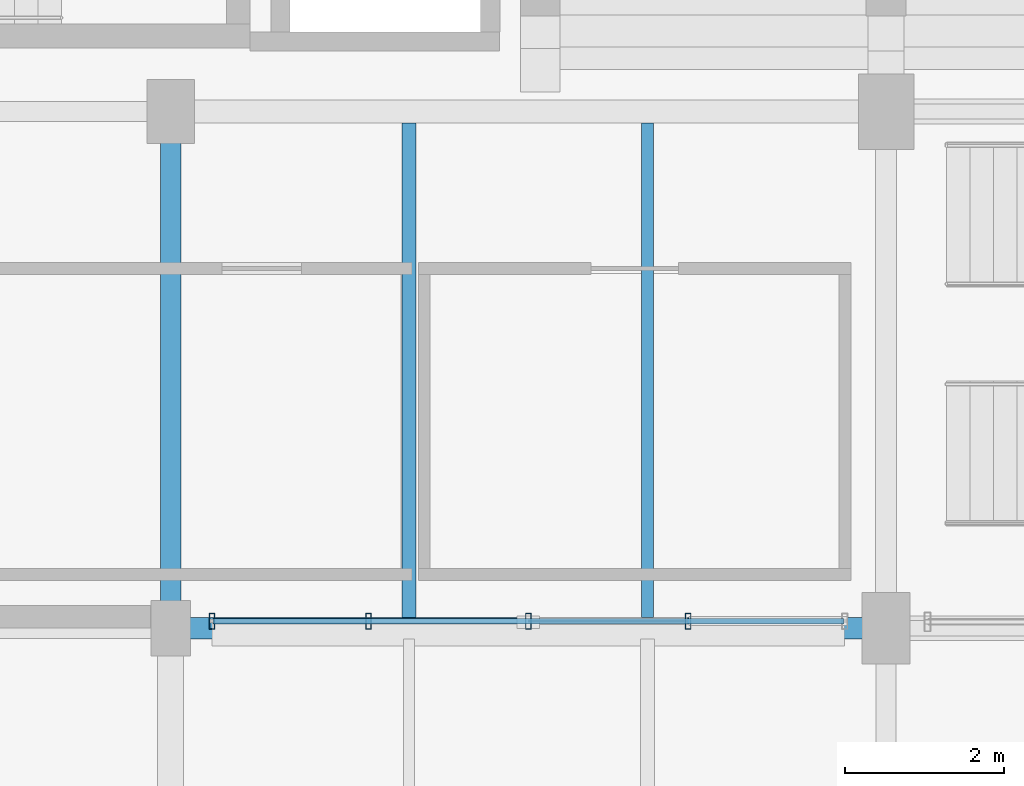
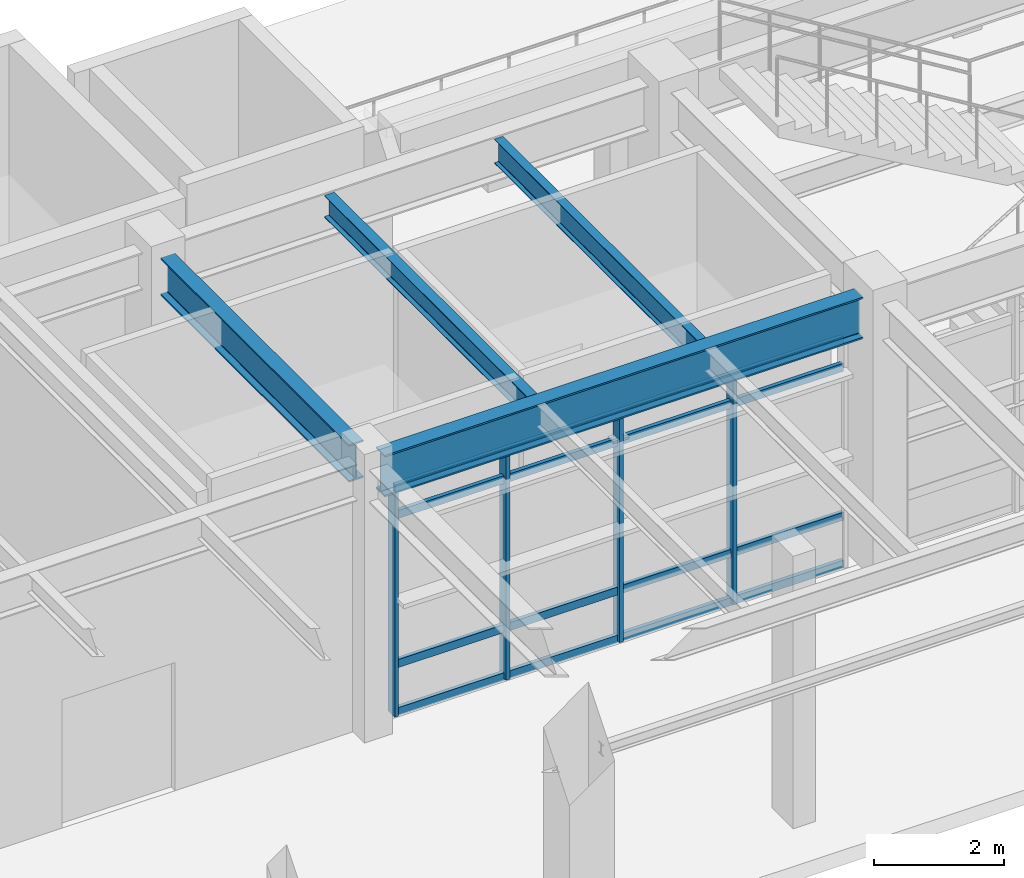
# One storey, part 49 of 203: 8 members, 4 beams, 1 element without a shape of its own.
"""IFC4 building model written with IfcOpenShell, lengths in metres."""

from ifc_helpers import new_model, si_unit, direction, frame, origin, origin_2d, place, context, subcontext, project, spatial, hollow_rectangle, i_section, extrude, material, material_profile, profile_set, type_object, element, aggregate, save


model = new_model("IFC4")

# Units and contexts
model_context = context("Model", 3, precision=1e-05, world=origin(), true_north=direction((0.0, 1.0)))
body_context = subcontext(model_context, "Body", "Model", "MODEL_VIEW")
ifc_project = project(units=[si_unit("LENGTHUNIT", "METRE"), si_unit("AREAUNIT", "SQUARE_METRE"), si_unit("VOLUMEUNIT", "CUBIC_METRE"), si_unit("PLANEANGLEUNIT", "RADIAN"), si_unit("MASSUNIT", "GRAM", prefix="KILO"), si_unit("THERMODYNAMICTEMPERATUREUNIT", "KELVIN"), si_unit("POWERUNIT", "WATT")], contexts=[model_context])

# Site, building, storey
site_placement = place(None, origin())
site = spatial("IfcSite", under=ifc_project, at=site_placement, CompositionType="ELEMENT")
building_placement = place(site_placement, origin())
building = spatial("IfcBuilding", under=site, at=building_placement, Name="Tepalcoro Natatorium and Aquatics Centre", CompositionType="ELEMENT")
storey_placement = place(building_placement, origin())
storey = spatial("IfcBuildingStorey", under=building, at=storey_placement, Name="L00", CompositionType="ELEMENT", Elevation=0.0)

# Beams
ifc_material_1 = material(Name="Steel ASTM A992 Grade 50 (Fy 345 MPa)", Category="steel")
ifc_material_profile_1 = material_profile(ifc_material_1, i_section(OverallWidth=0.25390625, OverallDepth=0.700927734375, WebThickness=0.014892578125, FlangeThickness=0.028076171875, FilletRadius=0.013916015625, at=origin_2d()), Name="W27X129")
ifc_profile_set_1 = profile_set([ifc_material_profile_1], Name="Steel ASTM A992 Grade 50 (Fy 345 MPa)")
beam_type_1 = type_object("IfcBeamType", Name="BM_W27x129", PredefinedType="BEAM", material=ifc_profile_set_1)
beam_1_placement = place(storey_placement, frame((62.0, 6.8349609375, 4.7744140625), z_axis=(0.0, 1.0, 0.0), x_axis=(-1.0, 0.0, 0.0)))
element("IfcBeam", 1, at=beam_1_placement, inside=storey, type_object=beam_type_1, Name="V1 L00 Grid Girder Y", PredefinedType="BEAM", context=body_context, shape_type="SweptSolid", body=[
    extrude(i_section(OverallWidth=0.25390625, OverallDepth=0.700927734375, WebThickness=0.014892578125, FlangeThickness=0.028076171875, FilletRadius=0.013916015625, at=origin_2d()), origin(), (0.0, 0.0, 1.0), 5.780029296875),
])
ifc_material_profile_2 = material_profile(ifc_material_1, i_section(OverallWidth=0.26708984375, OverallDepth=0.780029296875, WebThickness=0.01708984375, FlangeThickness=0.030029296875, FilletRadius=0.013916015625, at=origin_2d()), Name="W30X148")
ifc_profile_set_2 = profile_set([ifc_material_profile_2], Name="Steel ASTM A992 Grade 50 (Fy 345 MPa)")
beam_type_2 = type_object("IfcBeamType", Name="BM_W30x148", PredefinedType="BEAM", material=ifc_profile_set_2)
beam_2_placement = place(storey_placement, frame((62.235107421875, 6.5, 4.695068359375), z_axis=(1.0, 0.0, 0.0), x_axis=(0.0, 1.0, 0.0)))
element("IfcBeam", 2, at=beam_2_placement, inside=storey, type_object=beam_type_2, Name="V1 L00 Grid Girder X", PredefinedType="BEAM", context=body_context, shape_type="SweptSolid", body=[
    extrude(i_section(OverallWidth=0.26708984375, OverallDepth=0.780029296875, WebThickness=0.01708984375, FlangeThickness=0.030029296875, FilletRadius=0.013916015625, at=origin_2d()), origin(), (0.0, 0.0, 1.0), 8.47998046875),
])

# Curtain wall, members
ifc_material_2 = material(Name="Bronze-Anodised Extruded Aluminium Alloy EN AW-6063 T6", Category="aluminium")
curtain_wall_type = type_object("IfcCurtainWallType", Name="CW_V4_VILLAGE", PredefinedType="USERDEFINED", material=ifc_material_2)
curtain_wall_placement = place(storey_placement, origin())
curtain_wall = element("IfcCurtainWall", 3, at=curtain_wall_placement, inside=storey, type_object=curtain_wall_type, Name="V1 L00 S Unitised Curtain Wall Bay 3", ObjectType="UNITISED STOREFRONT", PredefinedType="USERDEFINED")
ifc_material_profile_3 = material_profile(ifc_material_2, hollow_rectangle(XDim=0.070068359375, YDim=0.199951171875, WallThickness=0.0048828125, at=origin_2d()), Name="AL70X200X5")
ifc_profile_set_3 = profile_set([ifc_material_profile_3], Name="Bronze-Anodised Extruded Aluminium Alloy EN AW-6063 T6")
member_type_1 = type_object("IfcMemberType", Name="CW_MUL_70x200", PredefinedType="MULLION", material=ifc_profile_set_3)
member_1_placement = place(storey_placement, frame((62.52001953125, 6.590087890625, 0.02001953125), z_axis=(0.0, 0.0, 1.0), x_axis=(1.0, 0.0, 0.0)))
member_1 = element("IfcMember", 4, at=member_1_placement, type_object=member_type_1, Name="CW_V4_VILLAGE Curtain Wall Mullion", PredefinedType="MULLION", context=body_context, shape_type="SweptSolid", body=[
    extrude(hollow_rectangle(XDim=0.070068359375, YDim=0.199951171875, WallThickness=0.0048828125, at=origin_2d()), origin(), (0.0, 0.0, 1.0), 4.25),
])
member_2_placement = place(storey_placement, frame((64.489990234375, 6.590087890625, 0.02001953125), z_axis=(0.0, 0.0, 1.0), x_axis=(1.0, 0.0, 0.0)))
member_2 = element("IfcMember", 5, at=member_2_placement, type_object=member_type_1, Name="CW_V4_VILLAGE Curtain Wall Mullion", PredefinedType="MULLION", context=body_context, shape_type="SweptSolid", body=[
    extrude(hollow_rectangle(XDim=0.070068359375, YDim=0.199951171875, WallThickness=0.0048828125, at=origin_2d()), origin(), (0.0, 0.0, 1.0), 4.25),
])
member_3_placement = place(storey_placement, frame((66.5, 6.590087890625, 0.02001953125), z_axis=(0.0, 0.0, 1.0), x_axis=(1.0, 0.0, 0.0)))
member_3 = element("IfcMember", 6, at=member_3_placement, type_object=member_type_1, Name="CW_V4_VILLAGE Curtain Wall Mullion", PredefinedType="MULLION", context=body_context, shape_type="SweptSolid", body=[
    extrude(hollow_rectangle(XDim=0.070068359375, YDim=0.199951171875, WallThickness=0.0048828125, at=origin_2d()), origin(), (0.0, 0.0, 1.0), 4.25),
])
member_4_placement = place(storey_placement, frame((68.510009765625, 6.590087890625, 0.02001953125), z_axis=(0.0, 0.0, 1.0), x_axis=(1.0, 0.0, 0.0)))
member_4 = element("IfcMember", 7, at=member_4_placement, type_object=member_type_1, Name="CW_V4_VILLAGE Curtain Wall Mullion", PredefinedType="MULLION", context=body_context, shape_type="SweptSolid", body=[
    extrude(hollow_rectangle(XDim=0.070068359375, YDim=0.199951171875, WallThickness=0.0048828125, at=origin_2d()), origin(), (0.0, 0.0, 1.0), 4.25),
])
ifc_material_profile_4 = material_profile(ifc_material_2, hollow_rectangle(XDim=0.070068359375, YDim=0.14990234375, WallThickness=0.00390625, at=origin_2d()), Name="AL70X150X4")
ifc_profile_set_4 = profile_set([ifc_material_profile_4], Name="Bronze-Anodised Extruded Aluminium Alloy EN AW-6063 T6")
member_type_2 = type_object("IfcMemberType", Name="CW_TRN_70x150", PredefinedType="USERDEFINED", material=ifc_profile_set_4)
member_5_placement = place(storey_placement, frame((62.530029296875, 6.590087890625, 0.050048828125), z_axis=(1.0, 0.0, 0.0), x_axis=(0.0, 1.0, 0.0)))
member_5 = element("IfcMember", 8, at=member_5_placement, type_object=member_type_2, Name="CW_V4_VILLAGE Curtain Wall Transom", ObjectType="TRANSOM", PredefinedType="USERDEFINED", context=body_context, shape_type="SweptSolid", body=[
    extrude(hollow_rectangle(XDim=0.070068359375, YDim=0.14990234375, WallThickness=0.00390625, at=origin_2d()), origin(), (0.0, 0.0, 1.0), 7.93994140625),
])
member_6_placement = place(storey_placement, frame((62.530029296875, 6.590087890625, 0.949951171875), z_axis=(1.0, 0.0, 0.0), x_axis=(0.0, 1.0, 0.0)))
member_6 = element("IfcMember", 9, at=member_6_placement, type_object=member_type_2, Name="CW_V4_VILLAGE Curtain Wall Transom", ObjectType="TRANSOM", PredefinedType="USERDEFINED", context=body_context, shape_type="SweptSolid", body=[
    extrude(hollow_rectangle(XDim=0.070068359375, YDim=0.14990234375, WallThickness=0.00390625, at=origin_2d()), origin(), (0.0, 0.0, 1.0), 7.93994140625),
])
member_7_placement = place(storey_placement, frame((62.530029296875, 6.590087890625, 3.739990234375), z_axis=(1.0, 0.0, 0.0), x_axis=(0.0, 1.0, 0.0)))
member_7 = element("IfcMember", 10, at=member_7_placement, type_object=member_type_2, Name="CW_V4_VILLAGE Curtain Wall Transom", ObjectType="TRANSOM", PredefinedType="USERDEFINED", context=body_context, shape_type="SweptSolid", body=[
    extrude(hollow_rectangle(XDim=0.070068359375, YDim=0.14990234375, WallThickness=0.00390625, at=origin_2d()), origin(), (0.0, 0.0, 1.0), 7.93994140625),
])
member_8_placement = place(storey_placement, frame((62.530029296875, 6.590087890625, 4.239990234375), z_axis=(1.0, 0.0, 0.0), x_axis=(0.0, 1.0, 0.0)))
member_8 = element("IfcMember", 11, at=member_8_placement, type_object=member_type_2, Name="CW_V4_VILLAGE Curtain Wall Transom", ObjectType="TRANSOM", PredefinedType="USERDEFINED", context=body_context, shape_type="SweptSolid", body=[
    extrude(hollow_rectangle(XDim=0.070068359375, YDim=0.14990234375, WallThickness=0.00390625, at=origin_2d()), origin(), (0.0, 0.0, 1.0), 7.93994140625),
])
aggregate(curtain_wall, [member_1, member_2, member_3, member_4, member_5, member_6, member_7, member_8])

# Beams
ifc_material_profile_5 = material_profile(ifc_material_1, i_section(OverallWidth=0.178955078125, OverallDepth=0.409912109375, WebThickness=0.009033203125, FlangeThickness=0.013916015625, FilletRadius=0.013916015625, at=origin_2d()), Name="W16X45")
ifc_profile_set_5 = profile_set([ifc_material_profile_5], Name="Steel ASTM A992 Grade 50 (Fy 345 MPa)")
beam_type_3 = type_object("IfcBeamType", Name="JS_W16x45", PredefinedType="JOIST", material=ifc_profile_set_5)
beam_3_placement = place(storey_placement, frame((65.0, 6.633544921875, 4.8798828125), z_axis=(0.0, 1.0, 0.0), x_axis=(-1.0, 0.0, 0.0)))
element("IfcBeam", 12, at=beam_3_placement, inside=storey, type_object=beam_type_3, Name="V1 L00 Floor Joist", PredefinedType="JOIST", context=body_context, shape_type="SweptSolid", body=[
    extrude(i_section(OverallWidth=0.178955078125, OverallDepth=0.409912109375, WebThickness=0.009033203125, FlangeThickness=0.013916015625, FilletRadius=0.013916015625, at=origin_2d()), origin(), (0.0, 0.0, 1.0), 6.220458984375),
])
ifc_material_profile_6 = material_profile(ifc_material_1, i_section(OverallWidth=0.153076171875, OverallDepth=0.455078125, WebThickness=0.008056640625, FlangeThickness=0.012939453125, FilletRadius=0.013916015625, at=origin_2d()), Name="W18X40")
ifc_profile_set_6 = profile_set([ifc_material_profile_6], Name="Steel ASTM A992 Grade 50 (Fy 345 MPa)")
beam_type_4 = type_object("IfcBeamType", Name="JS_W18x40", PredefinedType="JOIST", material=ifc_profile_set_6)
beam_4_placement = place(storey_placement, frame((68.0, 6.633544921875, 4.857421875), z_axis=(0.0, 1.0, 0.0), x_axis=(-1.0, 0.0, 0.0)))
element("IfcBeam", 13, at=beam_4_placement, inside=storey, type_object=beam_type_4, Name="V1 L00 Floor Joist", PredefinedType="JOIST", context=body_context, shape_type="SweptSolid", body=[
    extrude(i_section(OverallWidth=0.153076171875, OverallDepth=0.455078125, WebThickness=0.008056640625, FlangeThickness=0.012939453125, FilletRadius=0.013916015625, at=origin_2d()), origin(), (0.0, 0.0, 1.0), 6.220458984375),
])

save(model, "model.ifc")
